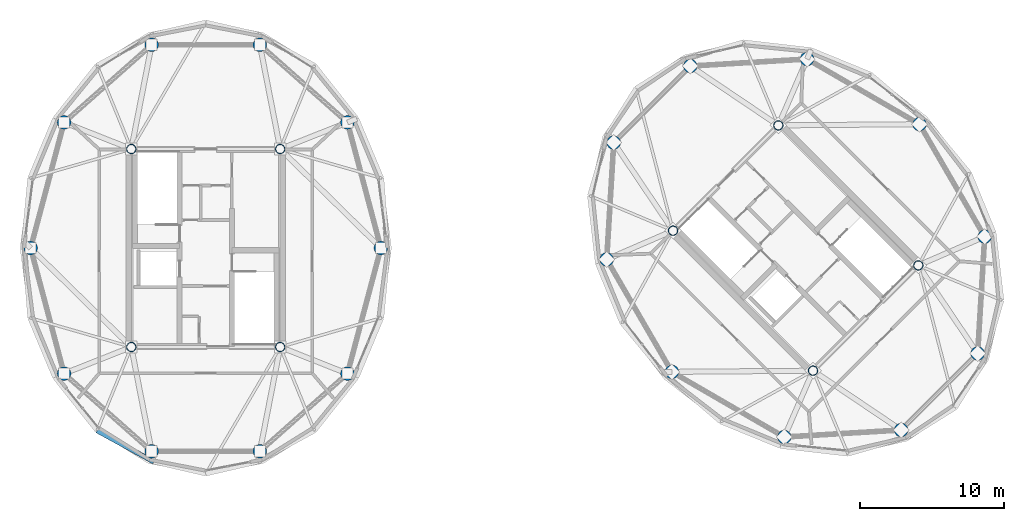
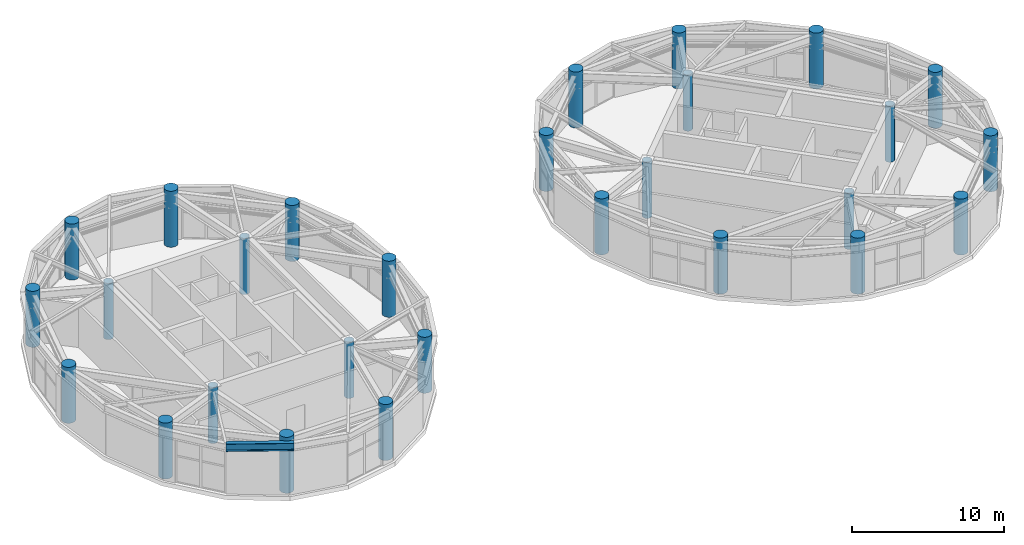
# One storey, part 1 of 26: 28 columns, 1 beam.
"""IFC4 building model written with IfcOpenShell, lengths in metres."""

from ifc_helpers import new_model, si_unit, direction, frame, origin, origin_2d, place, context, subcontext, project, spatial, circle, hollow_circle, i_section, extrude, material, material_profile, profile_set, type_object, element, save


model = new_model("IFC4")

# Units and contexts
model_context = context("Model", 3, precision=1e-05, world=origin(), true_north=direction((0.0, 1.0)))
body_context = subcontext(model_context, "Body", "Model", "MODEL_VIEW")
ifc_project = project(units=[si_unit("LENGTHUNIT", "METRE"), si_unit("AREAUNIT", "SQUARE_METRE"), si_unit("VOLUMEUNIT", "CUBIC_METRE"), si_unit("PLANEANGLEUNIT", "RADIAN"), si_unit("MASSUNIT", "GRAM", prefix="KILO")], contexts=[model_context])

# Site, building, storey
site_placement = place(None, origin())
site = spatial("IfcSite", under=ifc_project, at=site_placement, CompositionType="ELEMENT")
building_placement = place(site_placement, origin())
building = spatial("IfcBuilding", under=site, at=building_placement, Name="Cununo Teusaquillo Station Towers", CompositionType="ELEMENT")
storey_placement = place(building_placement, frame((0.0, 0.0, 240.330078125)))
storey = spatial("IfcBuildingStorey", under=building, at=storey_placement, Name="L76", CompositionType="ELEMENT", Elevation=240.330078125)

# Columns
ifc_material_1 = material(Name="Steel EN 10025-2 S355J2", Category="steel")
ifc_material_profile_1 = material_profile(ifc_material_1, hollow_circle(Radius=0.330078125, WallThickness=0.02490234375, at=origin_2d()), Name="CHS 660x25")
ifc_profile_set_1 = profile_set([ifc_material_profile_1], Name="Steel EN 10025-2 S355J2")
column_type_1 = type_object("IfcColumnType", Name="COL-CORE-Z3", PredefinedType="COLUMN", material=ifc_profile_set_1)
for number, where, z_axis, x_axis, name in (
    (1, (11.324951171875, 17.6201171875, 0.0), (0.0, 0.0, 1.0), (1.0, 0.0, 0.0), "L76 Tower A Core Column 1"),
    (2, (11.324951171875, 31.3798828125, 0.0), (0.0, 0.0, 1.0), (1.0, 0.0, 0.0), "L76 Tower A Core Column 2"),
    (3, (21.675048828125, 17.6201171875, 0.0), (0.0, 0.0, 1.0), (1.0, 0.0, 0.0), "L76 Tower A Core Column 3"),
    (4, (21.675048828125, 31.3798828125, 0.0), (0.0, 0.0, 1.0), (1.0, 0.0, 0.0), "L76 Tower A Core Column 4"),
    (5, (58.70556640625, 15.975830078125, 0.0), (0.0, 0.0, 1.0), (0.707106781187, 0.707106781187, 0.0), "L76 Tower B Core Column 1"),
    (6, (48.975830078125, 25.70556640625, 0.0), (0.0, 0.0, 1.0), (0.707106781187, 0.707106781187, 0.0), "L76 Tower B Core Column 2"),
    (7, (66.024169921875, 23.29443359375, 0.0), (0.0, 0.0, 1.0), (0.707106781187, 0.707106781187, 0.0), "L76 Tower B Core Column 3"),
    (8, (56.29443359375, 33.024169921875, 0.0), (0.0, 0.0, 1.0), (0.707106781187, 0.707106781187, 0.0), "L76 Tower B Core Column 4"),
):
    element("IfcColumn", number, at=place(storey_placement, frame(where, z_axis=z_axis, x_axis=x_axis)), inside=storey, type_object=column_type_1, Name=name, PredefinedType="COLUMN", context=body_context, shape_type="SweptSolid", body=[
        extrude(hollow_circle(Radius=0.330078125, WallThickness=0.02490234375, at=origin_2d()), origin(), (0.0, 0.0, 1.0), 4.5),
    ])
ifc_material_2 = material(Name="Concrete C50/60", Category="concrete")
ifc_material_profile_2 = material_profile(ifc_material_2, circle(Radius=0.47509765625, at=origin_2d()), Name="RC-CIRC-950")
ifc_profile_set_2 = profile_set([ifc_material_profile_2], Name="Concrete C50/60")
column_type_2 = type_object("IfcColumnType", Name="COL-MEGA-CR", PredefinedType="COLUMN", material=ifc_profile_set_2)
for number, where, z_axis, x_axis, name in (
    (9, (28.672119140625, 24.5, 0.0), (0.0, 0.0, 1.0), (1.0, 0.0, 0.0), "L76 Tower A Perimeter Column V00"),
    (10, (26.347412109375, 33.228515625, 0.0), (0.0, 0.0, 1.0), (1.0, 0.0, 0.0), "L76 Tower A Perimeter Column V02"),
    (11, (20.261474609375, 38.623291015625, 0.0), (0.0, 0.0, 1.0), (1.0, 0.0, 0.0), "L76 Tower A Perimeter Column V04"),
    (12, (12.738525390625, 38.623291015625, 0.0), (0.0, 0.0, 1.0), (1.0, 0.0, 0.0), "L76 Tower A Perimeter Column V06"),
    (13, (6.652587890625, 33.228515625, 0.0), (0.0, 0.0, 1.0), (1.0, 0.0, 0.0), "L76 Tower A Perimeter Column V08"),
    (14, (4.327880859375, 24.5, 0.0), (0.0, 0.0, 1.0), (1.0, 0.0, 0.0), "L76 Tower A Perimeter Column V10"),
    (15, (6.652587890625, 15.771484375, 0.0), (0.0, 0.0, 1.0), (1.0, 0.0, 0.0), "L76 Tower A Perimeter Column V12"),
    (16, (12.738525390625, 10.376708984375, 0.0), (0.0, 0.0, 1.0), (1.0, 0.0, 0.0), "L76 Tower A Perimeter Column V14"),
    (17, (20.261474609375, 10.376708984375, 0.0), (0.0, 0.0, 1.0), (1.0, 0.0, 0.0), "L76 Tower A Perimeter Column V16"),
    (18, (26.347412109375, 15.771484375, 0.0), (0.0, 0.0, 1.0), (1.0, 0.0, 0.0), "L76 Tower A Perimeter Column V18"),
    (19, (66.10693359375, 33.10693359375, 0.0), (0.0, 0.0, 1.0), (1.0, 0.0, 0.0), "L76 Tower B Perimeter Column V00"),
    (20, (58.291015625, 37.63525390625, 0.0), (0.0, 0.0, 1.0), (1.0, 0.0, 0.0), "L76 Tower B Perimeter Column V02"),
    (21, (50.173095703125, 37.146240234375, 0.0), (0.0, 0.0, 1.0), (1.0, 0.0, 0.0), "L76 Tower B Perimeter Column V04"),
    (22, (44.853759765625, 31.826904296875, 0.0), (0.0, 0.0, 1.0), (1.0, 0.0, 0.0), "L76 Tower B Perimeter Column V06"),
    (23, (44.36474609375, 23.708984375, 0.0), (0.0, 0.0, 1.0), (1.0, 0.0, 0.0), "L76 Tower B Perimeter Column V08"),
    (24, (48.89306640625, 15.89306640625, 0.0), (0.0, 0.0, 1.0), (1.0, 0.0, 0.0), "L76 Tower B Perimeter Column V10"),
    (25, (56.708984375, 11.36474609375, 0.0), (0.0, 0.0, 1.0), (1.0, 0.0, 0.0), "L76 Tower B Perimeter Column V12"),
    (26, (64.826904296875, 11.853759765625, 0.0), (0.0, 0.0, 1.0), (1.0, 0.0, 0.0), "L76 Tower B Perimeter Column V14"),
    (27, (70.146240234375, 17.173095703125, 0.0), (0.0, 0.0, 1.0), (1.0, 0.0, 0.0), "L76 Tower B Perimeter Column V16"),
    (28, (70.63525390625, 25.291015625, 0.0), (0.0, 0.0, 1.0), (1.0, 0.0, 0.0), "L76 Tower B Perimeter Column V18"),
):
    element("IfcColumn", number, at=place(storey_placement, frame(where, z_axis=z_axis, x_axis=x_axis)), inside=storey, type_object=column_type_2, Name=name, PredefinedType="COLUMN", context=body_context, shape_type="SweptSolid", body=[
        extrude(circle(Radius=0.47509765625, at=origin_2d()), origin(), (0.0, 0.0, 1.0), 4.5),
    ])

# Beam
ifc_material_3 = material(Name="Steel ASTM A572 Grade 50", Category="steel")
ifc_material_profile_3 = material_profile(ifc_material_3, i_section(OverallWidth=0.324951171875, OverallDepth=0.615966796875, WebThickness=0.013916015625, FlangeThickness=0.021484375, FilletRadius=0.01611328125, at=origin_2d()), Name="W24X117")
ifc_profile_set_3 = profile_set([ifc_material_profile_3], Name="Steel ASTM A572 Grade 50")
beam_type = type_object("IfcBeamType", Name="BM-PLNT-G2", PredefinedType="BEAM", material=ifc_profile_set_3)
beam_placement = place(storey_placement, frame((8.947021484375, 11.806396484375, 3.891845703125), z_axis=(0.876576300909, -0.481262910149, 0.0), x_axis=(0.481262910149, 0.876576300909, 0.0)))
element("IfcBeam", 29, at=beam_placement, inside=storey, type_object=beam_type, Name="L76 Tower A Spandrel Ring Beam 14", PredefinedType="BEAM", context=body_context, shape_type="SweptSolid", body=[
    extrude(i_section(OverallWidth=0.324951171875, OverallDepth=0.615966796875, WebThickness=0.013916015625, FlangeThickness=0.021484375, FilletRadius=0.01611328125, at=origin_2d()), origin(), (0.0, 0.0, 1.0), 4.488037109375),
])

save(model, "model.ifc")
